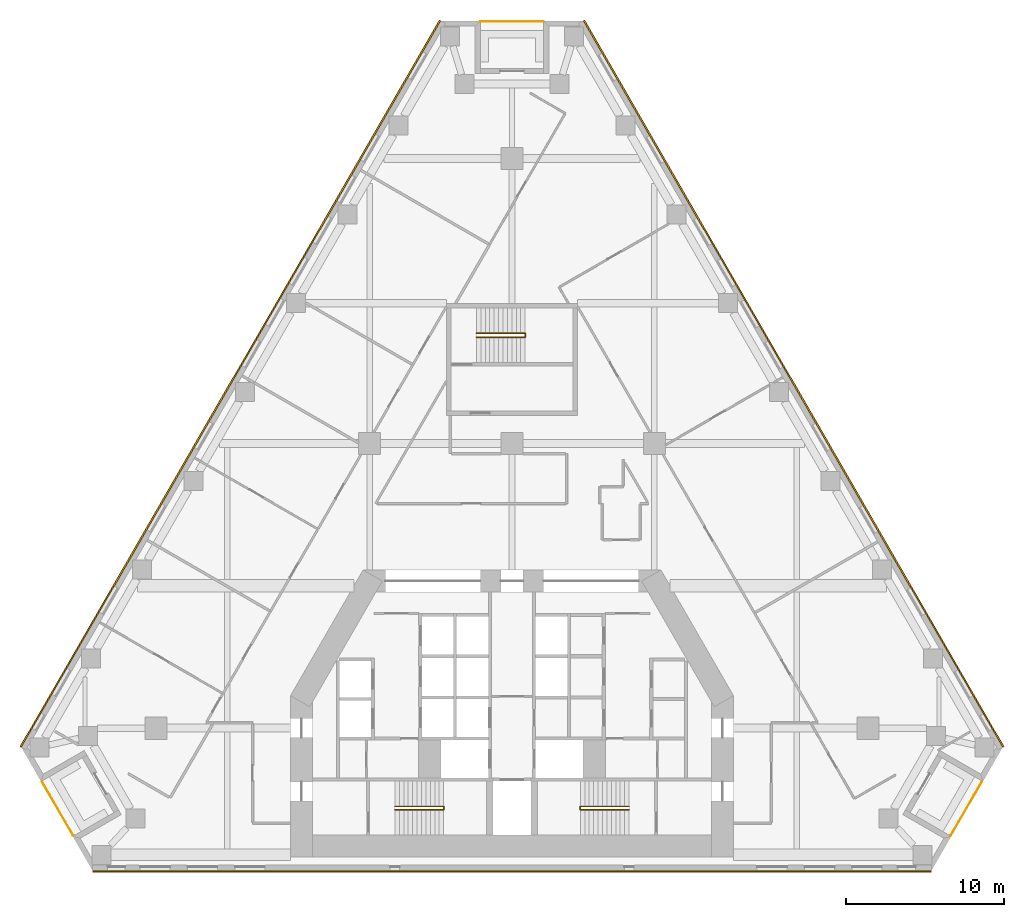
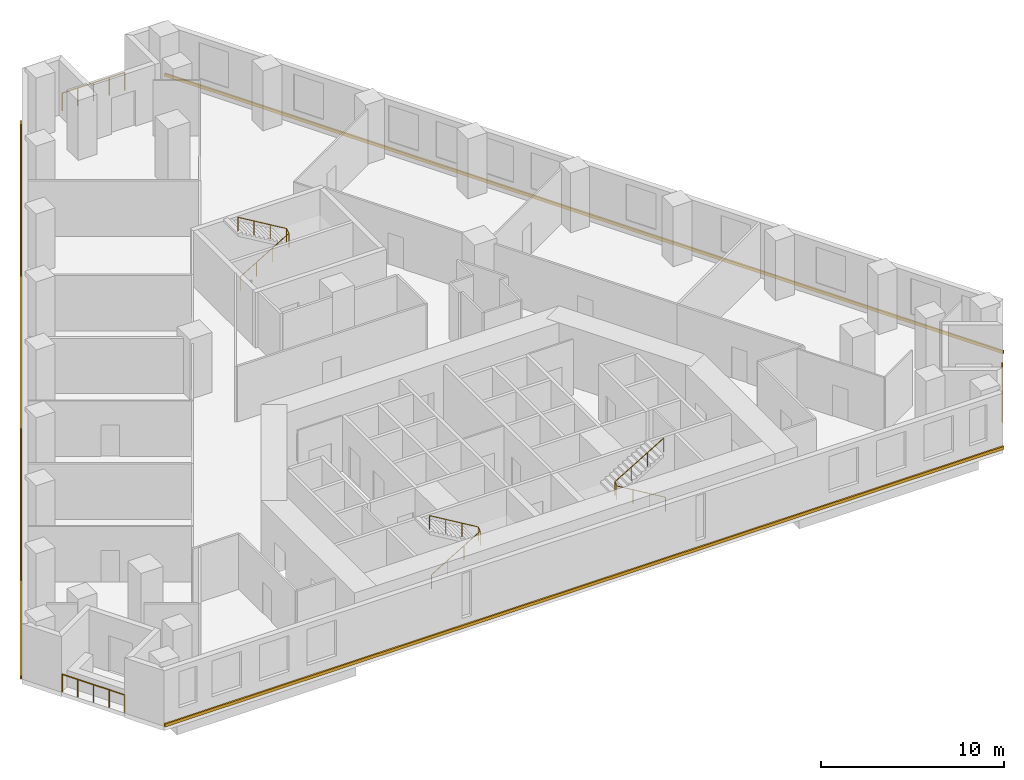
# One storey, part 9 of 9: 6 railings, 3 coverings.
"""IFC4 building model written with IfcOpenShell, lengths in metres."""

from ifc_helpers import new_model, si_unit, direction, frame, origin, origin_2d, place, context, subcontext, project, spatial, polyline, circle, outline, extrude, material, type_object, element, save


model = new_model("IFC4")

# Units and contexts
model_context = context("Model", 3, precision=1e-05, world=origin(), true_north=direction((0.0, 1.0)))
body_context = subcontext(model_context, "Body", "Model", "MODEL_VIEW")
ifc_project = project(units=[si_unit("LENGTHUNIT", "METRE"), si_unit("AREAUNIT", "SQUARE_METRE"), si_unit("VOLUMEUNIT", "CUBIC_METRE"), si_unit("PLANEANGLEUNIT", "RADIAN"), si_unit("MASSUNIT", "GRAM", prefix="KILO")], contexts=[model_context])

# Site, building, storey
site_placement = place(None, origin())
site = spatial("IfcSite", under=ifc_project, at=site_placement, CompositionType="ELEMENT")
building_placement = place(site_placement, origin())
building = spatial("IfcBuilding", under=site, at=building_placement, Name="Fogline Exchange Tower", CompositionType="ELEMENT")
storey_placement = place(building_placement, frame((0.0, 0.0, 84.89990234375)))
storey = spatial("IfcBuildingStorey", under=building, at=storey_placement, Name="L18", CompositionType="ELEMENT", Elevation=84.89990234375)

# Railings
ifc_material_1 = material(Name="Stainless steel 304", Category="steel")
railing_type_1 = type_object("IfcRailingType", Name="G1", PredefinedType="GUARDRAIL", material=ifc_material_1)
railing_1_placement = place(storey_placement, frame((-29.70654296875, 5.635986328125, 0.0)))
element("IfcRailing", 1, at=railing_1_placement, inside=storey, type_object=railing_type_1, Name="Balcony guard L18 SW", PredefinedType="GUARDRAIL", context=body_context, shape_type="SweptSolid", body=[
    extrude(circle(Radius=0.02392578125, at=origin_2d()), frame((0.0, 0.0, 1.17578125), z_axis=(0.500000102728, -0.866025344474, 0.0), x_axis=(0.866025344474, 0.500000102728, 0.0)), (0.0, 0.0, 1.0), 3.9580078125),
    extrude(circle(Radius=0.02099609375, at=origin_2d()), origin(), (0.0, 0.0, 1.0), 1.15185546875),
    extrude(circle(Radius=0.02099609375, at=origin_2d()), frame((0.49462890625, -0.85693359375, 0.0)), (0.0, 0.0, 1.0), 1.15185546875),
    extrude(circle(Radius=0.02099609375, at=origin_2d()), frame((0.989501953125, -1.7138671875, 0.0)), (0.0, 0.0, 1.0), 1.15185546875),
    extrude(circle(Radius=0.02099609375, at=origin_2d()), frame((1.484375, -2.57080078125, 0.0)), (0.0, 0.0, 1.0), 1.15185546875),
    extrude(circle(Radius=0.02099609375, at=origin_2d()), frame((1.97900390625, -3.427734375, 0.0)), (0.0, 0.0, 1.0), 1.15185546875),
])
railing_2_placement = place(storey_placement, frame((27.7275390625, 2.208251953125, 0.0)))
element("IfcRailing", 2, at=railing_2_placement, inside=storey, type_object=railing_type_1, Name="Balcony guard L18 SE", PredefinedType="GUARDRAIL", context=body_context, shape_type="SweptSolid", body=[
    extrude(circle(Radius=0.02392578125, at=origin_2d()), frame((0.0, 0.0, 1.17578125), z_axis=(0.500000102728, 0.866025344474, 0.0), x_axis=(-0.866025344474, 0.500000102728, 0.0)), (0.0, 0.0, 1.0), 3.9580078125),
    extrude(circle(Radius=0.02099609375, at=origin_2d()), origin(), (0.0, 0.0, 1.0), 1.15185546875),
    extrude(circle(Radius=0.02099609375, at=origin_2d()), frame((0.49462890625, 0.85693359375, 0.0)), (0.0, 0.0, 1.0), 1.15185546875),
    extrude(circle(Radius=0.02099609375, at=origin_2d()), frame((0.989501953125, 1.7138671875, 0.0)), (0.0, 0.0, 1.0), 1.15185546875),
    extrude(circle(Radius=0.02099609375, at=origin_2d()), frame((1.484375, 2.57080078125, 0.0)), (0.0, 0.0, 1.0), 1.15185546875),
    extrude(circle(Radius=0.02099609375, at=origin_2d()), frame((1.97900390625, 3.427734375, 0.0)), (0.0, 0.0, 1.0), 1.15185546875),
])
railing_3_placement = place(storey_placement, frame((1.97900390625, 53.66162109375, 0.0)))
element("IfcRailing", 3, at=railing_3_placement, inside=storey, type_object=railing_type_1, Name="Balcony guard L18 N", PredefinedType="GUARDRAIL", context=body_context, shape_type="SweptSolid", body=[
    extrude(circle(Radius=0.02392578125, at=origin_2d()), frame((0.0, 0.0, 1.17578125), z_axis=(-1.0, 0.0, 0.0), x_axis=(0.0, -1.0, 0.0)), (0.0, 0.0, 1.0), 3.9580078125),
    extrude(circle(Radius=0.02099609375, at=origin_2d()), origin(), (0.0, 0.0, 1.0), 1.15185546875),
    extrude(circle(Radius=0.02099609375, at=origin_2d()), frame((-0.989501953125, 0.0, 0.0)), (0.0, 0.0, 1.0), 1.15185546875),
    extrude(circle(Radius=0.02099609375, at=origin_2d()), frame((-1.97900390625, 0.0, 0.0)), (0.0, 0.0, 1.0), 1.15185546875),
    extrude(circle(Radius=0.02099609375, at=origin_2d()), frame((-2.968505859375, 0.0, 0.0)), (0.0, 0.0, 1.0), 1.15185546875),
    extrude(circle(Radius=0.02099609375, at=origin_2d()), frame((-3.9580078125, 0.0, 0.0)), (0.0, 0.0, 1.0), 1.15185546875),
])
ifc_material_2 = material(Name="Steel Q235B", Category="steel")
railing_type_2 = type_object("IfcRailingType", Name="RL-HR", PredefinedType="HANDRAIL", material=ifc_material_2)
railing_4_placement = place(storey_placement, frame((-7.39990234375, 3.85009765625, 0.166748046875)))
element("IfcRailing", 4, at=railing_4_placement, inside=storey, type_object=railing_type_2, Name="Handrail ST1", PredefinedType="HANDRAIL", context=body_context, shape_type="SweptSolid", body=[
    extrude(circle(Radius=0.02392578125, at=origin_2d()), frame((0.0, 0.0, 0.92578125), z_axis=(0.859290745958, 0.0, 0.51148745235), x_axis=(0.0, 1.0, 0.0)), (0.0, 0.0, 1.0), 3.584228515625),
    extrude(circle(Radius=0.02392578125, at=origin_2d()), frame((3.079833984375, 0.0, 2.75927734375), z_axis=(0.0, 0.767990643491, 0.640461061666), x_axis=(-1.0, 0.0, 0.0)), (0.0, 0.0, 1.0), 0.26025390625),
    extrude(circle(Radius=0.02392578125, at=origin_2d()), frame((3.079833984375, 0.199951171875, 2.92578125), z_axis=(-0.859290745958, 0.0, 0.51148745235), x_axis=(0.0, -1.0, 0.0)), (0.0, 0.0, 1.0), 3.584228515625),
    extrude(circle(Radius=0.02099609375, at=origin_2d()), origin(), (0.0, 0.0, 1.0), 0.90185546875),
    extrude(circle(Radius=0.02099609375, at=origin_2d()), frame((1.026611328125, 0.0, 0.611083984375)), (0.0, 0.0, 1.0), 0.90185546875),
    extrude(circle(Radius=0.02099609375, at=origin_2d()), frame((2.05322265625, 0.0, 1.22216796875)), (0.0, 0.0, 1.0), 0.90185546875),
    extrude(circle(Radius=0.02099609375, at=origin_2d()), frame((3.079833984375, 0.0, 1.833251953125)), (0.0, 0.0, 1.0), 0.90185546875),
    extrude(circle(Radius=0.02099609375, at=origin_2d()), frame((3.079833984375, 0.199951171875, 2.0)), (0.0, 0.0, 1.0), 0.90185546875),
    extrude(circle(Radius=0.02099609375, at=origin_2d()), frame((2.05322265625, 0.199951171875, 2.611083984375)), (0.0, 0.0, 1.0), 0.90185546875),
    extrude(circle(Radius=0.02099609375, at=origin_2d()), frame((1.026611328125, 0.199951171875, 3.22216796875)), (0.0, 0.0, 1.0), 0.90185546875),
    extrude(circle(Radius=0.02099609375, at=origin_2d()), frame((0.0, 0.199951171875, 3.833251953125)), (0.0, 0.0, 1.0), 0.90185546875),
])
railing_5_placement = place(storey_placement, frame((7.39990234375, 3.85009765625, 0.166748046875)))
element("IfcRailing", 5, at=railing_5_placement, inside=storey, type_object=railing_type_2, Name="Handrail ST2", PredefinedType="HANDRAIL", context=body_context, shape_type="SweptSolid", body=[
    extrude(circle(Radius=0.02392578125, at=origin_2d()), frame((0.0, 0.0, 0.92578125), z_axis=(-0.859290745958, 0.0, 0.51148745235), x_axis=(0.0, -1.0, 0.0)), (0.0, 0.0, 1.0), 3.584228515625),
    extrude(circle(Radius=0.02392578125, at=origin_2d()), frame((-3.079833984375, 0.0, 2.75927734375), z_axis=(0.0, 0.767990643491, 0.640461061666), x_axis=(-1.0, 0.0, 0.0)), (0.0, 0.0, 1.0), 0.26025390625),
    extrude(circle(Radius=0.02392578125, at=origin_2d()), frame((-3.079833984375, 0.199951171875, 2.92578125), z_axis=(0.859290745958, 0.0, 0.51148745235), x_axis=(0.0, 1.0, 0.0)), (0.0, 0.0, 1.0), 3.584228515625),
    extrude(circle(Radius=0.02099609375, at=origin_2d()), origin(), (0.0, 0.0, 1.0), 0.90185546875),
    extrude(circle(Radius=0.02099609375, at=origin_2d()), frame((-1.026611328125, 0.0, 0.611083984375)), (0.0, 0.0, 1.0), 0.90185546875),
    extrude(circle(Radius=0.02099609375, at=origin_2d()), frame((-2.05322265625, 0.0, 1.22216796875)), (0.0, 0.0, 1.0), 0.90185546875),
    extrude(circle(Radius=0.02099609375, at=origin_2d()), frame((-3.079833984375, 0.0, 1.833251953125)), (0.0, 0.0, 1.0), 0.90185546875),
    extrude(circle(Radius=0.02099609375, at=origin_2d()), frame((-3.079833984375, 0.199951171875, 2.0)), (0.0, 0.0, 1.0), 0.90185546875),
    extrude(circle(Radius=0.02099609375, at=origin_2d()), frame((-2.05322265625, 0.199951171875, 2.611083984375)), (0.0, 0.0, 1.0), 0.90185546875),
    extrude(circle(Radius=0.02099609375, at=origin_2d()), frame((-1.026611328125, 0.199951171875, 3.22216796875)), (0.0, 0.0, 1.0), 0.90185546875),
    extrude(circle(Radius=0.02099609375, at=origin_2d()), frame((0.0, 0.199951171875, 3.833251953125)), (0.0, 0.0, 1.0), 0.90185546875),
])
railing_6_placement = place(storey_placement, frame((-2.25, 33.70703125, 0.166748046875)))
element("IfcRailing", 6, at=railing_6_placement, inside=storey, type_object=railing_type_2, Name="Handrail ST3", PredefinedType="HANDRAIL", context=body_context, shape_type="SweptSolid", body=[
    extrude(circle(Radius=0.02392578125, at=origin_2d()), frame((0.0, 0.0, 0.92578125), z_axis=(0.859308565015, 0.0, 0.511457515432), x_axis=(0.0, 1.0, 0.0)), (0.0, 0.0, 1.0), 3.58447265625),
    extrude(circle(Radius=0.02392578125, at=origin_2d()), frame((3.080078125, 0.0, 2.75927734375), z_axis=(0.0, 0.831925284441, 0.554887665306), x_axis=(-1.0, 0.0, 0.0)), (0.0, 0.0, 1.0), 0.300537109375),
    extrude(circle(Radius=0.02392578125, at=origin_2d()), frame((3.080078125, 0.25, 2.92578125), z_axis=(-0.859308565015, 0.0, 0.511457515432), x_axis=(0.0, -1.0, 0.0)), (0.0, 0.0, 1.0), 3.58447265625),
    extrude(circle(Radius=0.02099609375, at=origin_2d()), origin(), (0.0, 0.0, 1.0), 0.90185546875),
    extrude(circle(Radius=0.02099609375, at=origin_2d()), frame((1.026611328125, 0.0, 0.611083984375)), (0.0, 0.0, 1.0), 0.90185546875),
    extrude(circle(Radius=0.02099609375, at=origin_2d()), frame((2.053466796875, 0.0, 1.22216796875)), (0.0, 0.0, 1.0), 0.90185546875),
    extrude(circle(Radius=0.02099609375, at=origin_2d()), frame((3.080078125, 0.0, 1.833251953125)), (0.0, 0.0, 1.0), 0.90185546875),
    extrude(circle(Radius=0.02099609375, at=origin_2d()), frame((3.080078125, 0.25, 2.0)), (0.0, 0.0, 1.0), 0.90185546875),
    extrude(circle(Radius=0.02099609375, at=origin_2d()), frame((2.053466796875, 0.25, 2.611083984375)), (0.0, 0.0, 1.0), 0.90185546875),
    extrude(circle(Radius=0.02099609375, at=origin_2d()), frame((1.026611328125, 0.25, 3.22216796875)), (0.0, 0.0, 1.0), 0.90185546875),
    extrude(circle(Radius=0.02099609375, at=origin_2d()), frame((0.0, 0.25, 3.833251953125)), (0.0, 0.0, 1.0), 0.90185546875),
])

# Coverings
ifc_material_3 = material(Name="Brick masonry", Category="masonry")
covering_type = type_object("IfcCoveringType", Name="SB1", PredefinedType="CLADDING", material=ifc_material_3)
covering_1_placement = place(storey_placement, origin())
element("IfcCovering", 7, at=covering_1_placement, inside=storey, type_object=covering_type, Name="Stringcourse band L18 S", PredefinedType="CLADDING", context=body_context, shape_type="SweptSolid", body=[
    extrude(outline(polyline([(-26.510498046875, 0.0), (-26.510498046875, -0.10009765625), (26.510498046875, -0.10009765625), (26.510498046875, 0.0), (-26.510498046875, 0.0)])), origin(), (0.0, 0.0, 1.0), 0.2001953125),
])
covering_2_placement = place(storey_placement, origin())
element("IfcCovering", 8, at=covering_2_placement, inside=storey, type_object=covering_type, Name="Stringcourse band L18 E", PredefinedType="CLADDING", context=body_context, shape_type="SweptSolid", body=[
    extrude(outline(polyline([(31.010498046875, 7.794189453125), (31.096923828125, 7.84423828125), (4.586669921875, 53.76171875), (4.5, 53.711669921875), (31.010498046875, 7.794189453125)])), origin(), (0.0, 0.0, 1.0), 0.2001953125),
])
covering_3_placement = place(storey_placement, origin())
element("IfcCovering", 9, at=covering_3_placement, inside=storey, type_object=covering_type, Name="Stringcourse band L18 W", PredefinedType="CLADDING", context=body_context, shape_type="SweptSolid", body=[
    extrude(outline(polyline([(-4.5, 53.711669921875), (-4.586669921875, 53.76171875), (-31.096923828125, 7.84423828125), (-31.010498046875, 7.794189453125), (-4.5, 53.711669921875)])), origin(), (0.0, 0.0, 1.0), 0.2001953125),
])

save(model, "model.ifc")
